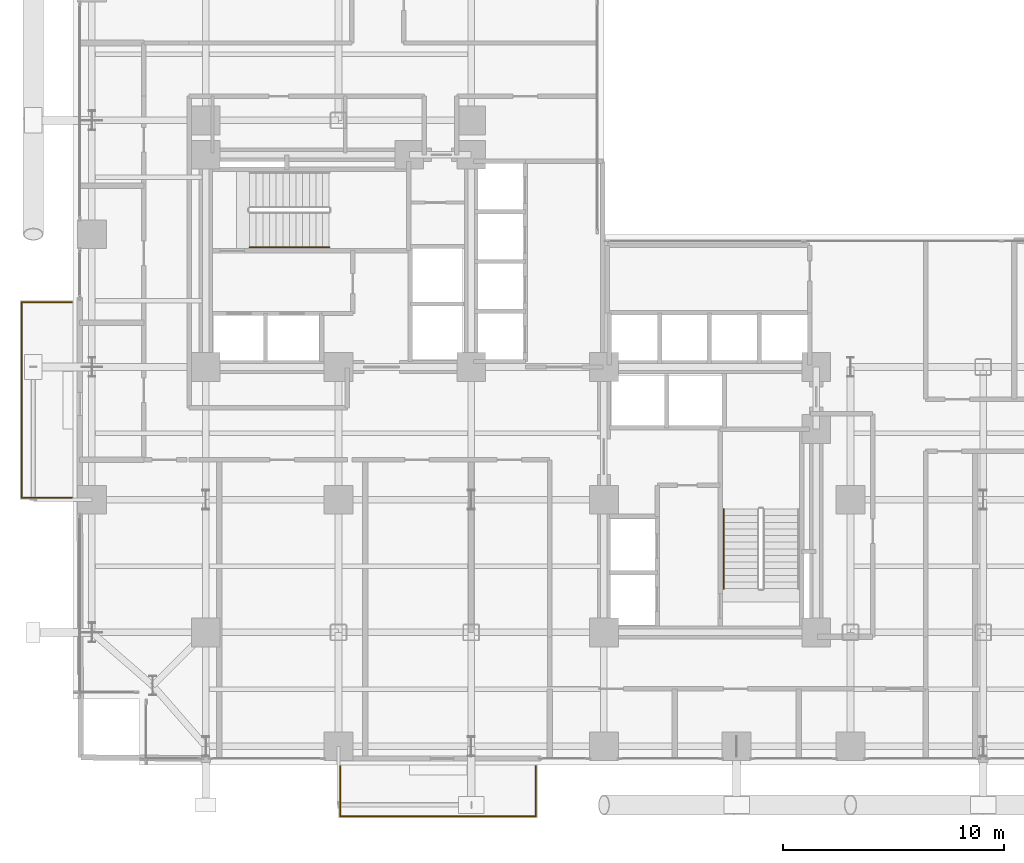
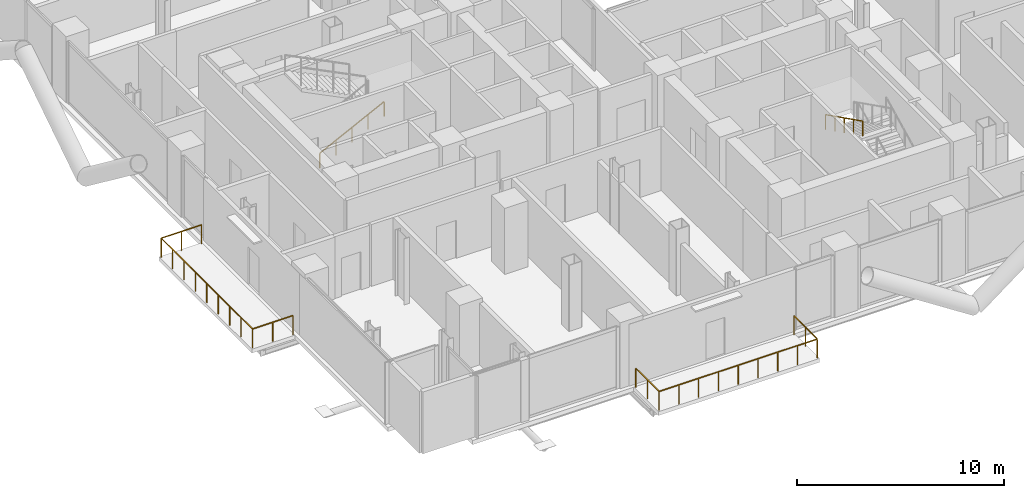
# One storey, part 24 of 25: 4 railings.
"""IFC4 building model written with IfcOpenShell, lengths in metres."""

from ifc_helpers import new_model, si_unit, direction, frame, origin, origin_2d, place, context, subcontext, project, spatial, rectangle, extrude, material, type_object, element, save


model = new_model("IFC4")

# Units and contexts
model_context = context("Model", 3, precision=1e-05, world=origin(), true_north=direction((0.0, 1.0)))
body_context = subcontext(model_context, "Body", "Model", "MODEL_VIEW")
ifc_project = project(units=[si_unit("LENGTHUNIT", "METRE"), si_unit("AREAUNIT", "SQUARE_METRE"), si_unit("VOLUMEUNIT", "CUBIC_METRE"), si_unit("PLANEANGLEUNIT", "RADIAN"), si_unit("MASSUNIT", "GRAM", prefix="KILO"), si_unit("THERMODYNAMICTEMPERATUREUNIT", "KELVIN"), si_unit("POWERUNIT", "WATT")], contexts=[model_context])

# Site, building, storey
site_placement = place(None, origin())
site = spatial("IfcSite", under=ifc_project, at=site_placement, CompositionType="ELEMENT")
building_placement = place(site_placement, origin())
building = spatial("IfcBuilding", under=site, at=building_placement, Name="Svarakhadi Broadcast Tower", CompositionType="ELEMENT")
storey_placement = place(building_placement, frame((0.0, 0.0, 79.199951171875)))
storey = spatial("IfcBuildingStorey", under=building, at=storey_placement, Name="L18", CompositionType="ELEMENT", Elevation=79.199951171875)

# Railings
ifc_material_1 = material(Name="Laminated Structural SentryGlas Balustrade 25.5 mm", Category="glass")
railing_type_1 = type_object("IfcRailingType", Name="Guard_Balcony_GR01", PredefinedType="BALUSTRADE", material=ifc_material_1)
railing_1_placement = place(storey_placement, frame((12.080078125, -0.06005859375, 0.0)))
element("IfcRailing", 1, at=railing_1_placement, inside=storey, type_object=railing_type_1, Name="L18 South Tree Balcony Guard GR-05", PredefinedType="BALUSTRADE", context=body_context, shape_type="SweptSolid", body=[
    extrude(rectangle(XDim=0.048095703125, YDim=0.048095703125, at=origin_2d()), frame((0.0, 0.0, 1.1259765625), z_axis=(0.0, -1.0, 0.0), x_axis=(1.0, 0.0, 0.0)), (0.0, 0.0, 1.0), 2.260009765625),
    extrude(rectangle(XDim=0.048095703125, YDim=0.048095703125, at=origin_2d()), frame((0.0, -2.260009765625, 1.1259765625), z_axis=(1.0, 0.0, 0.0), x_axis=(0.0, 1.0, 0.0)), (0.0, 0.0, 1.0), 8.83984375),
    extrude(rectangle(XDim=0.048095703125, YDim=0.048095703125, at=origin_2d()), frame((8.83984375, -2.260009765625, 1.1259765625), z_axis=(0.0, 1.0, 0.0), x_axis=(-1.0, 0.0, 0.0)), (0.0, 0.0, 1.0), 2.260009765625),
    extrude(rectangle(XDim=0.0419921875, YDim=0.0419921875, at=origin_2d()), origin(), (0.0, 0.0, 1.0), 1.101806640625),
    extrude(rectangle(XDim=0.0419921875, YDim=0.0419921875, at=origin_2d()), frame((0.0, -1.1298828125, 0.0)), (0.0, 0.0, 1.0), 1.101806640625),
    extrude(rectangle(XDim=0.0419921875, YDim=0.0419921875, at=origin_2d()), frame((0.0, -2.260009765625, 0.0)), (0.0, 0.0, 1.0), 1.101806640625),
    extrude(rectangle(XDim=0.0419921875, YDim=0.0419921875, at=origin_2d()), frame((1.10498046875, -2.260009765625, 0.0)), (0.0, 0.0, 1.0), 1.101806640625),
    extrude(rectangle(XDim=0.0419921875, YDim=0.0419921875, at=origin_2d()), frame((2.2099609375, -2.260009765625, 0.0)), (0.0, 0.0, 1.0), 1.101806640625),
    extrude(rectangle(XDim=0.0419921875, YDim=0.0419921875, at=origin_2d()), frame((3.31494140625, -2.260009765625, 0.0)), (0.0, 0.0, 1.0), 1.101806640625),
    extrude(rectangle(XDim=0.0419921875, YDim=0.0419921875, at=origin_2d()), frame((4.419921875, -2.260009765625, 0.0)), (0.0, 0.0, 1.0), 1.101806640625),
    extrude(rectangle(XDim=0.0419921875, YDim=0.0419921875, at=origin_2d()), frame((5.52490234375, -2.260009765625, 0.0)), (0.0, 0.0, 1.0), 1.101806640625),
    extrude(rectangle(XDim=0.0419921875, YDim=0.0419921875, at=origin_2d()), frame((6.6298828125, -2.260009765625, 0.0)), (0.0, 0.0, 1.0), 1.101806640625),
    extrude(rectangle(XDim=0.0419921875, YDim=0.0419921875, at=origin_2d()), frame((7.73486328125, -2.260009765625, 0.0)), (0.0, 0.0, 1.0), 1.101806640625),
    extrude(rectangle(XDim=0.0419921875, YDim=0.0419921875, at=origin_2d()), frame((8.83984375, -2.260009765625, 0.0)), (0.0, 0.0, 1.0), 1.101806640625),
    extrude(rectangle(XDim=0.0419921875, YDim=0.0419921875, at=origin_2d()), frame((8.83984375, -1.1298828125, 0.0)), (0.0, 0.0, 1.0), 1.101806640625),
    extrude(rectangle(XDim=0.0419921875, YDim=0.0419921875, at=origin_2d()), frame((8.83984375, 0.0, 0.0)), (0.0, 0.0, 1.0), 1.101806640625),
])
railing_2_placement = place(storey_placement, frame((-0.06005859375, 12.080078125, 0.0)))
element("IfcRailing", 2, at=railing_2_placement, inside=storey, type_object=railing_type_1, Name="L18 West Tree Balcony Guard GR-05", PredefinedType="BALUSTRADE", context=body_context, shape_type="SweptSolid", body=[
    extrude(rectangle(XDim=0.048095703125, YDim=0.048095703125, at=origin_2d()), frame((0.0, 0.0, 1.1259765625), z_axis=(-1.0, 0.0, 0.0), x_axis=(0.0, -1.0, 0.0)), (0.0, 0.0, 1.0), 2.260009765625),
    extrude(rectangle(XDim=0.048095703125, YDim=0.048095703125, at=origin_2d()), frame((-2.260009765625, 0.0, 1.1259765625), z_axis=(0.0, 1.0, 0.0), x_axis=(-1.0, 0.0, 0.0)), (0.0, 0.0, 1.0), 8.83984375),
    extrude(rectangle(XDim=0.048095703125, YDim=0.048095703125, at=origin_2d()), frame((-2.260009765625, 8.83984375, 1.1259765625), z_axis=(1.0, 0.0, 0.0), x_axis=(0.0, 1.0, 0.0)), (0.0, 0.0, 1.0), 2.260009765625),
    extrude(rectangle(XDim=0.0419921875, YDim=0.0419921875, at=origin_2d()), origin(), (0.0, 0.0, 1.0), 1.101806640625),
    extrude(rectangle(XDim=0.0419921875, YDim=0.0419921875, at=origin_2d()), frame((-1.1298828125, 0.0, 0.0)), (0.0, 0.0, 1.0), 1.101806640625),
    extrude(rectangle(XDim=0.0419921875, YDim=0.0419921875, at=origin_2d()), frame((-2.260009765625, 0.0, 0.0)), (0.0, 0.0, 1.0), 1.101806640625),
    extrude(rectangle(XDim=0.0419921875, YDim=0.0419921875, at=origin_2d()), frame((-2.260009765625, 1.10498046875, 0.0)), (0.0, 0.0, 1.0), 1.101806640625),
    extrude(rectangle(XDim=0.0419921875, YDim=0.0419921875, at=origin_2d()), frame((-2.260009765625, 2.2099609375, 0.0)), (0.0, 0.0, 1.0), 1.101806640625),
    extrude(rectangle(XDim=0.0419921875, YDim=0.0419921875, at=origin_2d()), frame((-2.260009765625, 3.31494140625, 0.0)), (0.0, 0.0, 1.0), 1.101806640625),
    extrude(rectangle(XDim=0.0419921875, YDim=0.0419921875, at=origin_2d()), frame((-2.260009765625, 4.419921875, 0.0)), (0.0, 0.0, 1.0), 1.101806640625),
    extrude(rectangle(XDim=0.0419921875, YDim=0.0419921875, at=origin_2d()), frame((-2.260009765625, 5.52490234375, 0.0)), (0.0, 0.0, 1.0), 1.101806640625),
    extrude(rectangle(XDim=0.0419921875, YDim=0.0419921875, at=origin_2d()), frame((-2.260009765625, 6.6298828125, 0.0)), (0.0, 0.0, 1.0), 1.101806640625),
    extrude(rectangle(XDim=0.0419921875, YDim=0.0419921875, at=origin_2d()), frame((-2.260009765625, 7.73486328125, 0.0)), (0.0, 0.0, 1.0), 1.101806640625),
    extrude(rectangle(XDim=0.0419921875, YDim=0.0419921875, at=origin_2d()), frame((-2.260009765625, 8.83984375, 0.0)), (0.0, 0.0, 1.0), 1.101806640625),
    extrude(rectangle(XDim=0.0419921875, YDim=0.0419921875, at=origin_2d()), frame((-1.1298828125, 8.83984375, 0.0)), (0.0, 0.0, 1.0), 1.101806640625),
    extrude(rectangle(XDim=0.0419921875, YDim=0.0419921875, at=origin_2d()), frame((0.0, 8.83984375, 0.0)), (0.0, 0.0, 1.0), 1.101806640625),
])
ifc_material_2 = material(Name="Anodised Bronze Aluminium AA 6063-T6", Category="aluminium")
railing_type_2 = type_object("IfcRailingType", Name="Handrail_Stair_HR01", PredefinedType="HANDRAIL", material=ifc_material_2)
railing_3_placement = place(storey_placement, frame((7.97998046875, 23.409912109375, 0.150146484375)))
element("IfcRailing", 3, at=railing_3_placement, inside=storey, type_object=railing_type_2, Name="L18 ST-01 stair handrail 1", PredefinedType="HANDRAIL", context=body_context, shape_type="SweptSolid", body=[
    extrude(rectangle(XDim=0.048095703125, YDim=0.048095703125, at=origin_2d()), frame((0.0, 0.0, 0.8759765625), z_axis=(0.894451452574, 0.0, 0.447165069061), x_axis=(0.0, 1.0, 0.0)), (0.0, 0.0, 1.0), 4.02490234375),
    extrude(rectangle(XDim=0.0419921875, YDim=0.0419921875, at=origin_2d()), origin(), (0.0, 0.0, 1.0), 0.851806640625),
    extrude(rectangle(XDim=0.0419921875, YDim=0.0419921875, at=origin_2d()), frame((0.89990234375, 0.0, 0.449951171875)), (0.0, 0.0, 1.0), 0.851806640625),
    extrude(rectangle(XDim=0.0419921875, YDim=0.0419921875, at=origin_2d()), frame((1.800048828125, 0.0, 0.89990234375)), (0.0, 0.0, 1.0), 0.851806640625),
    extrude(rectangle(XDim=0.0419921875, YDim=0.0419921875, at=origin_2d()), frame((2.7001953125, 0.0, 1.349853515625)), (0.0, 0.0, 1.0), 0.851806640625),
    extrude(rectangle(XDim=0.0419921875, YDim=0.0419921875, at=origin_2d()), frame((3.60009765625, 0.0, 1.7998046875)), (0.0, 0.0, 1.0), 0.851806640625),
])
railing_4_placement = place(storey_placement, frame((29.409912109375, 11.580078125, 2.10009765625)))
element("IfcRailing", 4, at=railing_4_placement, inside=storey, type_object=railing_type_2, Name="L18 ST-02 stair handrail 2", PredefinedType="HANDRAIL", context=body_context, shape_type="SweptSolid", body=[
    extrude(rectangle(XDim=0.048095703125, YDim=0.048095703125, at=origin_2d()), frame((0.0, 0.0, 0.8759765625), z_axis=(0.0, -0.894427191, 0.4472135955), x_axis=(1.0, 0.0, 0.0)), (0.0, 0.0, 1.0), 4.025146484375),
    extrude(rectangle(XDim=0.0419921875, YDim=0.0419921875, at=origin_2d()), origin(), (0.0, 0.0, 1.0), 0.851806640625),
    extrude(rectangle(XDim=0.0419921875, YDim=0.0419921875, at=origin_2d()), frame((0.0, -0.89990234375, 0.449951171875)), (0.0, 0.0, 1.0), 0.851806640625),
    extrude(rectangle(XDim=0.0419921875, YDim=0.0419921875, at=origin_2d()), frame((0.0, -1.800048828125, 0.89990234375)), (0.0, 0.0, 1.0), 0.851806640625),
    extrude(rectangle(XDim=0.0419921875, YDim=0.0419921875, at=origin_2d()), frame((0.0, -2.7001953125, 1.35009765625)), (0.0, 0.0, 1.0), 0.851806640625),
    extrude(rectangle(XDim=0.0419921875, YDim=0.0419921875, at=origin_2d()), frame((0.0, -3.60009765625, 1.800048828125)), (0.0, 0.0, 1.0), 0.851806640625),
])

save(model, "model.ifc")
